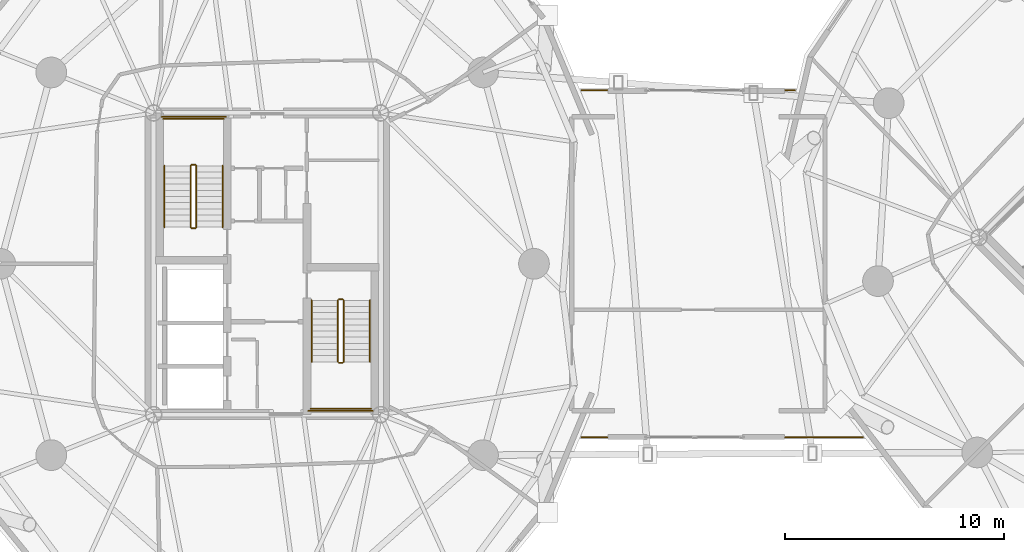
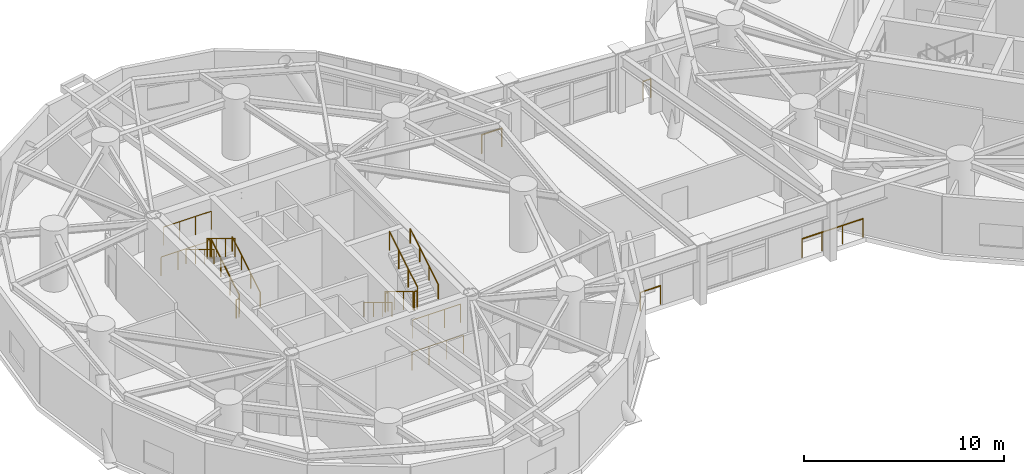
# One storey, part 19 of 20: 20 railings.
"""IFC4 building model written with IfcOpenShell, lengths in metres."""

from ifc_helpers import new_model, si_unit, direction, frame, origin, origin_2d, place, context, subcontext, project, spatial, circle, extrude, material, type_object, element, save


model = new_model("IFC4")

# Units and contexts
model_context = context("Model", 3, precision=1e-05, world=origin(), true_north=direction((0.0, 1.0)))
body_context = subcontext(model_context, "Body", "Model", "MODEL_VIEW")
ifc_project = project(units=[si_unit("LENGTHUNIT", "METRE"), si_unit("AREAUNIT", "SQUARE_METRE"), si_unit("VOLUMEUNIT", "CUBIC_METRE"), si_unit("PLANEANGLEUNIT", "RADIAN"), si_unit("MASSUNIT", "GRAM", prefix="KILO")], contexts=[model_context])

# Site, building, storey
site_placement = place(None, origin())
site = spatial("IfcSite", under=ifc_project, at=site_placement, CompositionType="ELEMENT")
building_placement = place(site_placement, origin())
building = spatial("IfcBuilding", under=site, at=building_placement, Name="Cununo Teusaquillo Station Towers", CompositionType="ELEMENT")
storey_placement = place(building_placement, frame((0.0, 0.0, 140.320068359375)))
storey = spatial("IfcBuildingStorey", under=building, at=storey_placement, Name="L44", CompositionType="ELEMENT", Elevation=140.320068359375)

# Railings
ifc_material_1 = material(Name="Steel EN 10025-2 S355J2", Category="steel")
railing_type_1 = type_object("IfcRailingType", Name="RL-INT-GUARD", PredefinedType="GUARDRAIL", material=ifc_material_1)
railing_1_placement = place(storey_placement, frame((13.27001953125, 26.169921875, 0.1689453125)))
element("IfcRailing", 1, at=railing_1_placement, inside=storey, type_object=railing_type_1, Name="L44 ST-T1-1 stair guard 1", PredefinedType="GUARDRAIL", context=body_context, shape_type="SweptSolid", body=[
    extrude(circle(Radius=0.02392578125, at=origin_2d()), frame((0.0, 0.0, 1.1259765625), z_axis=(0.0, 0.856020824003, 0.516941339877), x_axis=(-1.0, 0.0, 0.0)), (0.0, 0.0, 1.0), 3.27099609375),
    extrude(circle(Radius=0.02099609375, at=origin_2d()), origin(), (0.0, 0.0, 1.0), 1.101806640625),
    extrude(circle(Radius=0.02099609375, at=origin_2d()), frame((0.0, 0.933349609375, 0.563720703125)), (0.0, 0.0, 1.0), 1.101806640625),
    extrude(circle(Radius=0.02099609375, at=origin_2d()), frame((0.0, 1.86669921875, 1.127197265625)), (0.0, 0.0, 1.0), 1.101806640625),
    extrude(circle(Radius=0.02099609375, at=origin_2d()), frame((0.0, 2.800048828125, 1.69091796875)), (0.0, 0.0, 1.0), 1.101806640625),
])
railing_2_placement = place(storey_placement, frame((13.219970703125, 29.02001953125, 1.85986328125)))
element("IfcRailing", 2, at=railing_2_placement, inside=storey, type_object=railing_type_1, Name="L44 ST-T1-1 stair guard 2", PredefinedType="GUARDRAIL", context=body_context, shape_type="SweptSolid", body=[
    extrude(circle(Radius=0.02392578125, at=origin_2d()), frame((0.0, 0.0, 1.1259765625), z_axis=(-1.0, 0.0, 0.0), x_axis=(0.0, -1.0, 0.0)), (0.0, 0.0, 1.0), 0.159912109375),
    extrude(circle(Radius=0.02099609375, at=origin_2d()), origin(), (0.0, 0.0, 1.0), 1.101806640625),
    extrude(circle(Radius=0.02099609375, at=origin_2d()), frame((-0.159912109375, 0.0, 0.0)), (0.0, 0.0, 1.0), 1.101806640625),
])
railing_3_placement = place(storey_placement, frame((14.52001953125, 31.110107421875, 1.85986328125)))
element("IfcRailing", 3, at=railing_3_placement, inside=storey, type_object=railing_type_1, Name="L44 ST-T1-1 stair guard 3", PredefinedType="GUARDRAIL", context=body_context, shape_type="SweptSolid", body=[
    extrude(circle(Radius=0.02392578125, at=origin_2d()), frame((0.0, 0.0, 1.1259765625), z_axis=(-1.0, 0.0, 0.0), x_axis=(0.0, -1.0, 0.0)), (0.0, 0.0, 1.0), 2.760009765625),
    extrude(circle(Radius=0.02099609375, at=origin_2d()), origin(), (0.0, 0.0, 1.0), 1.101806640625),
    extrude(circle(Radius=0.02099609375, at=origin_2d()), frame((-0.919921875, 0.0, 0.0)), (0.0, 0.0, 1.0), 1.101806640625),
    extrude(circle(Radius=0.02099609375, at=origin_2d()), frame((-1.840087890625, 0.0, 0.0)), (0.0, 0.0, 1.0), 1.101806640625),
    extrude(circle(Radius=0.02099609375, at=origin_2d()), frame((-2.760009765625, 0.0, 0.0)), (0.0, 0.0, 1.0), 1.101806640625),
])
railing_4_placement = place(storey_placement, frame((13.010009765625, 28.969970703125, 2.029052734375)))
element("IfcRailing", 4, at=railing_4_placement, inside=storey, type_object=railing_type_1, Name="L44 ST-T1-1 stair guard 4", PredefinedType="GUARDRAIL", context=body_context, shape_type="SweptSolid", body=[
    extrude(circle(Radius=0.02392578125, at=origin_2d()), frame((0.0, 0.0, 1.1259765625), z_axis=(0.0, -0.856020824003, 0.516941339877), x_axis=(1.0, 0.0, 0.0)), (0.0, 0.0, 1.0), 3.27099609375),
    extrude(circle(Radius=0.02099609375, at=origin_2d()), origin(), (0.0, 0.0, 1.0), 1.101806640625),
    extrude(circle(Radius=0.02099609375, at=origin_2d()), frame((0.0, -0.933349609375, 0.563720703125)), (0.0, 0.0, 1.0), 1.101806640625),
    extrude(circle(Radius=0.02099609375, at=origin_2d()), frame((0.0, -1.86669921875, 1.127197265625)), (0.0, 0.0, 1.0), 1.101806640625),
    extrude(circle(Radius=0.02099609375, at=origin_2d()), frame((0.0, -2.800048828125, 1.69091796875)), (0.0, 0.0, 1.0), 1.101806640625),
])
railing_5_placement = place(storey_placement, frame((13.219970703125, 26.1201171875, 0.0)))
element("IfcRailing", 5, at=railing_5_placement, inside=storey, type_object=railing_type_1, Name="L44 ST-T1-1 stair guard 5", PredefinedType="GUARDRAIL", context=body_context, shape_type="SweptSolid", body=[
    extrude(circle(Radius=0.02392578125, at=origin_2d()), frame((0.0, 0.0, 1.1259765625), z_axis=(-1.0, 0.0, 0.0), x_axis=(0.0, -1.0, 0.0)), (0.0, 0.0, 1.0), 0.159912109375),
    extrude(circle(Radius=0.02099609375, at=origin_2d()), origin(), (0.0, 0.0, 1.0), 1.101806640625),
    extrude(circle(Radius=0.02099609375, at=origin_2d()), frame((-0.159912109375, 0.0, 0.0)), (0.0, 0.0, 1.0), 1.101806640625),
])
railing_6_placement = place(storey_placement, frame((14.6201171875, 31.2099609375, 0.0)))
element("IfcRailing", 6, at=railing_6_placement, inside=storey, type_object=railing_type_1, Name="L44 ST-T1-1 stair guard 6", PredefinedType="GUARDRAIL", context=body_context, shape_type="SweptSolid", body=[
    extrude(circle(Radius=0.02392578125, at=origin_2d()), frame((0.0, 0.0, 1.1259765625), z_axis=(-1.0, 0.0, 0.0), x_axis=(0.0, -1.0, 0.0)), (0.0, 0.0, 1.0), 2.960205078125),
    extrude(circle(Radius=0.02099609375, at=origin_2d()), origin(), (0.0, 0.0, 1.0), 1.101806640625),
    extrude(circle(Radius=0.02099609375, at=origin_2d()), frame((-0.98681640625, 0.0, 0.0)), (0.0, 0.0, 1.0), 1.101806640625),
    extrude(circle(Radius=0.02099609375, at=origin_2d()), frame((-1.973388671875, 0.0, 0.0)), (0.0, 0.0, 1.0), 1.101806640625),
    extrude(circle(Radius=0.02099609375, at=origin_2d()), frame((-2.960205078125, 0.0, 0.0)), (0.0, 0.0, 1.0), 1.101806640625),
])
railing_7_placement = place(storey_placement, frame((19.72998046875, 22.830078125, 0.1689453125)))
element("IfcRailing", 7, at=railing_7_placement, inside=storey, type_object=railing_type_1, Name="L44 ST-T1-2 stair guard 1", PredefinedType="GUARDRAIL", context=body_context, shape_type="SweptSolid", body=[
    extrude(circle(Radius=0.02392578125, at=origin_2d()), frame((0.0, 0.0, 1.1259765625), z_axis=(0.0, -0.856020824003, 0.516941339877), x_axis=(1.0, 0.0, 0.0)), (0.0, 0.0, 1.0), 3.27099609375),
    extrude(circle(Radius=0.02099609375, at=origin_2d()), origin(), (0.0, 0.0, 1.0), 1.101806640625),
    extrude(circle(Radius=0.02099609375, at=origin_2d()), frame((0.0, -0.933349609375, 0.563720703125)), (0.0, 0.0, 1.0), 1.101806640625),
    extrude(circle(Radius=0.02099609375, at=origin_2d()), frame((0.0, -1.86669921875, 1.127197265625)), (0.0, 0.0, 1.0), 1.101806640625),
    extrude(circle(Radius=0.02099609375, at=origin_2d()), frame((0.0, -2.800048828125, 1.69091796875)), (0.0, 0.0, 1.0), 1.101806640625),
])
railing_8_placement = place(storey_placement, frame((19.780029296875, 19.97998046875, 1.85986328125)))
element("IfcRailing", 8, at=railing_8_placement, inside=storey, type_object=railing_type_1, Name="L44 ST-T1-2 stair guard 2", PredefinedType="GUARDRAIL", context=body_context, shape_type="SweptSolid", body=[
    extrude(circle(Radius=0.02392578125, at=origin_2d()), frame((0.0, 0.0, 1.1259765625), z_axis=(1.0, 0.0, 0.0), x_axis=(0.0, 1.0, 0.0)), (0.0, 0.0, 1.0), 0.159912109375),
    extrude(circle(Radius=0.02099609375, at=origin_2d()), origin(), (0.0, 0.0, 1.0), 1.101806640625),
    extrude(circle(Radius=0.02099609375, at=origin_2d()), frame((0.159912109375, 0.0, 0.0)), (0.0, 0.0, 1.0), 1.101806640625),
])
railing_9_placement = place(storey_placement, frame((18.47998046875, 17.889892578125, 1.85986328125)))
element("IfcRailing", 9, at=railing_9_placement, inside=storey, type_object=railing_type_1, Name="L44 ST-T1-2 stair guard 3", PredefinedType="GUARDRAIL", context=body_context, shape_type="SweptSolid", body=[
    extrude(circle(Radius=0.02392578125, at=origin_2d()), frame((0.0, 0.0, 1.1259765625), z_axis=(1.0, 0.0, 0.0), x_axis=(0.0, 1.0, 0.0)), (0.0, 0.0, 1.0), 2.760009765625),
    extrude(circle(Radius=0.02099609375, at=origin_2d()), origin(), (0.0, 0.0, 1.0), 1.101806640625),
    extrude(circle(Radius=0.02099609375, at=origin_2d()), frame((0.919921875, 0.0, 0.0)), (0.0, 0.0, 1.0), 1.101806640625),
    extrude(circle(Radius=0.02099609375, at=origin_2d()), frame((1.840087890625, 0.0, 0.0)), (0.0, 0.0, 1.0), 1.101806640625),
    extrude(circle(Radius=0.02099609375, at=origin_2d()), frame((2.760009765625, 0.0, 0.0)), (0.0, 0.0, 1.0), 1.101806640625),
])
railing_10_placement = place(storey_placement, frame((19.989990234375, 20.030029296875, 2.029052734375)))
element("IfcRailing", 10, at=railing_10_placement, inside=storey, type_object=railing_type_1, Name="L44 ST-T1-2 stair guard 4", PredefinedType="GUARDRAIL", context=body_context, shape_type="SweptSolid", body=[
    extrude(circle(Radius=0.02392578125, at=origin_2d()), frame((0.0, 0.0, 1.1259765625), z_axis=(0.0, 0.856020824003, 0.516941339877), x_axis=(-1.0, 0.0, 0.0)), (0.0, 0.0, 1.0), 3.27099609375),
    extrude(circle(Radius=0.02099609375, at=origin_2d()), origin(), (0.0, 0.0, 1.0), 1.101806640625),
    extrude(circle(Radius=0.02099609375, at=origin_2d()), frame((0.0, 0.933349609375, 0.563720703125)), (0.0, 0.0, 1.0), 1.101806640625),
    extrude(circle(Radius=0.02099609375, at=origin_2d()), frame((0.0, 1.86669921875, 1.127197265625)), (0.0, 0.0, 1.0), 1.101806640625),
    extrude(circle(Radius=0.02099609375, at=origin_2d()), frame((0.0, 2.800048828125, 1.69091796875)), (0.0, 0.0, 1.0), 1.101806640625),
])
railing_11_placement = place(storey_placement, frame((19.780029296875, 22.8798828125, 0.0)))
element("IfcRailing", 11, at=railing_11_placement, inside=storey, type_object=railing_type_1, Name="L44 ST-T1-2 stair guard 5", PredefinedType="GUARDRAIL", context=body_context, shape_type="SweptSolid", body=[
    extrude(circle(Radius=0.02392578125, at=origin_2d()), frame((0.0, 0.0, 1.1259765625), z_axis=(1.0, 0.0, 0.0), x_axis=(0.0, 1.0, 0.0)), (0.0, 0.0, 1.0), 0.159912109375),
    extrude(circle(Radius=0.02099609375, at=origin_2d()), origin(), (0.0, 0.0, 1.0), 1.101806640625),
    extrude(circle(Radius=0.02099609375, at=origin_2d()), frame((0.159912109375, 0.0, 0.0)), (0.0, 0.0, 1.0), 1.101806640625),
])
railing_12_placement = place(storey_placement, frame((18.3798828125, 17.7900390625, 0.0)))
element("IfcRailing", 12, at=railing_12_placement, inside=storey, type_object=railing_type_1, Name="L44 ST-T1-2 stair guard 6", PredefinedType="GUARDRAIL", context=body_context, shape_type="SweptSolid", body=[
    extrude(circle(Radius=0.02392578125, at=origin_2d()), frame((0.0, 0.0, 1.1259765625), z_axis=(1.0, 0.0, 0.0), x_axis=(0.0, 1.0, 0.0)), (0.0, 0.0, 1.0), 2.960205078125),
    extrude(circle(Radius=0.02099609375, at=origin_2d()), origin(), (0.0, 0.0, 1.0), 1.101806640625),
    extrude(circle(Radius=0.02099609375, at=origin_2d()), frame((0.98681640625, 0.0, 0.0)), (0.0, 0.0, 1.0), 1.101806640625),
    extrude(circle(Radius=0.02099609375, at=origin_2d()), frame((1.973388671875, 0.0, 0.0)), (0.0, 0.0, 1.0), 1.101806640625),
    extrude(circle(Radius=0.02099609375, at=origin_2d()), frame((2.960205078125, 0.0, 0.0)), (0.0, 0.0, 1.0), 1.101806640625),
])
railing_13_placement = place(storey_placement, frame((30.840087890625, 32.419921875, 0.0)))
element("IfcRailing", 13, at=railing_13_placement, inside=storey, type_object=railing_type_1, Name="L44 Mid-Bridge Deck Edge Guardrail NW", PredefinedType="GUARDRAIL", context=body_context, shape_type="SweptSolid", body=[
    extrude(circle(Radius=0.02392578125, at=origin_2d()), frame((0.0, 0.0, 1.1259765625), z_axis=(1.0, 0.0, 0.0), x_axis=(0.0, 1.0, 0.0)), (0.0, 0.0, 1.0), 1.169921875),
    extrude(circle(Radius=0.02099609375, at=origin_2d()), origin(), (0.0, 0.0, 1.0), 1.101806640625),
    extrude(circle(Radius=0.02099609375, at=origin_2d()), frame((1.169921875, 0.0, 0.0)), (0.0, 0.0, 1.0), 1.101806640625),
])
railing_14_placement = place(storey_placement, frame((40.139892578125, 32.419921875, 0.0)))
element("IfcRailing", 14, at=railing_14_placement, inside=storey, type_object=railing_type_1, Name="L44 Mid-Bridge Deck Edge Guardrail NE", PredefinedType="GUARDRAIL", context=body_context, shape_type="SweptSolid", body=[
    extrude(circle(Radius=0.02392578125, at=origin_2d()), frame((0.0, 0.0, 1.1259765625), z_axis=(1.0, 0.0, 0.0), x_axis=(0.0, 1.0, 0.0)), (0.0, 0.0, 1.0), 0.440185546875),
    extrude(circle(Radius=0.02099609375, at=origin_2d()), origin(), (0.0, 0.0, 1.0), 1.101806640625),
    extrude(circle(Radius=0.02099609375, at=origin_2d()), frame((0.440185546875, 0.0, 0.0)), (0.0, 0.0, 1.0), 1.101806640625),
])
railing_15_placement = place(storey_placement, frame((30.840087890625, 16.580078125, 0.0)))
element("IfcRailing", 15, at=railing_15_placement, inside=storey, type_object=railing_type_1, Name="L44 Mid-Bridge Deck Edge Guardrail SW", PredefinedType="GUARDRAIL", context=body_context, shape_type="SweptSolid", body=[
    extrude(circle(Radius=0.02392578125, at=origin_2d()), frame((0.0, 0.0, 1.1259765625), z_axis=(1.0, 0.0, 0.0), x_axis=(0.0, 1.0, 0.0)), (0.0, 0.0, 1.0), 1.169921875),
    extrude(circle(Radius=0.02099609375, at=origin_2d()), origin(), (0.0, 0.0, 1.0), 1.101806640625),
    extrude(circle(Radius=0.02099609375, at=origin_2d()), frame((1.169921875, 0.0, 0.0)), (0.0, 0.0, 1.0), 1.101806640625),
])
railing_16_placement = place(storey_placement, frame((40.139892578125, 16.580078125, 0.0)))
element("IfcRailing", 16, at=railing_16_placement, inside=storey, type_object=railing_type_1, Name="L44 Mid-Bridge Deck Edge Guardrail SE", PredefinedType="GUARDRAIL", context=body_context, shape_type="SweptSolid", body=[
    extrude(circle(Radius=0.02392578125, at=origin_2d()), frame((0.0, 0.0, 1.1259765625), z_axis=(1.0, 0.0, 0.0), x_axis=(0.0, 1.0, 0.0)), (0.0, 0.0, 1.0), 3.5400390625),
    extrude(circle(Radius=0.02099609375, at=origin_2d()), origin(), (0.0, 0.0, 1.0), 1.101806640625),
    extrude(circle(Radius=0.02099609375, at=origin_2d()), frame((1.179931640625, 0.0, 0.0)), (0.0, 0.0, 1.0), 1.101806640625),
    extrude(circle(Radius=0.02099609375, at=origin_2d()), frame((2.360107421875, 0.0, 0.0)), (0.0, 0.0, 1.0), 1.101806640625),
    extrude(circle(Radius=0.02099609375, at=origin_2d()), frame((3.5400390625, 0.0, 0.0)), (0.0, 0.0, 1.0), 1.101806640625),
])
ifc_material_2 = material(Name="Steel EN 10025-2 S355J2", Category="steel")
railing_type_2 = type_object("IfcRailingType", Name="RL-INT-HRAIL", PredefinedType="HANDRAIL", material=ifc_material_2)
railing_17_placement = place(storey_placement, frame((14.469970703125, 26.169921875, 0.1689453125)))
element("IfcRailing", 17, at=railing_17_placement, inside=storey, type_object=railing_type_2, Name="L44 ST-T1-1 stair handrail 1", PredefinedType="HANDRAIL", context=body_context, shape_type="SweptSolid", body=[
    extrude(circle(Radius=0.02392578125, at=origin_2d()), frame((0.0, 0.0, 0.8759765625), z_axis=(0.0, 0.856020824003, 0.516941339877), x_axis=(-1.0, 0.0, 0.0)), (0.0, 0.0, 1.0), 3.27099609375),
    extrude(circle(Radius=0.02099609375, at=origin_2d()), origin(), (0.0, 0.0, 1.0), 0.851806640625),
    extrude(circle(Radius=0.02099609375, at=origin_2d()), frame((0.0, 0.933349609375, 0.563720703125)), (0.0, 0.0, 1.0), 0.851806640625),
    extrude(circle(Radius=0.02099609375, at=origin_2d()), frame((0.0, 1.86669921875, 1.127197265625)), (0.0, 0.0, 1.0), 0.851806640625),
    extrude(circle(Radius=0.02099609375, at=origin_2d()), frame((0.0, 2.800048828125, 1.69091796875)), (0.0, 0.0, 1.0), 0.851806640625),
])
for number, where, name in (
    (18, (11.81005859375, 28.969970703125, 2.029052734375), "L44 ST-T1-1 stair handrail 2"),
    (19, (18.530029296875, 22.830078125, 0.1689453125), "L44 ST-T1-2 stair handrail 1"),
):
    element("IfcRailing", number, at=place(storey_placement, frame(where)), inside=storey, type_object=railing_type_2, Name=name, PredefinedType="HANDRAIL", context=body_context, shape_type="SweptSolid", body=[
        extrude(circle(Radius=0.02392578125, at=origin_2d()), frame((0.0, 0.0, 0.8759765625), z_axis=(0.0, -0.856020824003, 0.516941339877), x_axis=(1.0, 0.0, 0.0)), (0.0, 0.0, 1.0), 3.27099609375),
        extrude(circle(Radius=0.02099609375, at=origin_2d()), origin(), (0.0, 0.0, 1.0), 0.851806640625),
        extrude(circle(Radius=0.02099609375, at=origin_2d()), frame((0.0, -0.933349609375, 0.563720703125)), (0.0, 0.0, 1.0), 0.851806640625),
        extrude(circle(Radius=0.02099609375, at=origin_2d()), frame((0.0, -1.86669921875, 1.127197265625)), (0.0, 0.0, 1.0), 0.851806640625),
        extrude(circle(Radius=0.02099609375, at=origin_2d()), frame((0.0, -2.800048828125, 1.69091796875)), (0.0, 0.0, 1.0), 0.851806640625),
    ])
railing_18_placement = place(storey_placement, frame((21.18994140625, 20.030029296875, 2.029052734375)))
element("IfcRailing", 20, at=railing_18_placement, inside=storey, type_object=railing_type_2, Name="L44 ST-T1-2 stair handrail 2", PredefinedType="HANDRAIL", context=body_context, shape_type="SweptSolid", body=[
    extrude(circle(Radius=0.02392578125, at=origin_2d()), frame((0.0, 0.0, 0.8759765625), z_axis=(0.0, 0.856020824003, 0.516941339877), x_axis=(-1.0, 0.0, 0.0)), (0.0, 0.0, 1.0), 3.27099609375),
    extrude(circle(Radius=0.02099609375, at=origin_2d()), origin(), (0.0, 0.0, 1.0), 0.851806640625),
    extrude(circle(Radius=0.02099609375, at=origin_2d()), frame((0.0, 0.933349609375, 0.563720703125)), (0.0, 0.0, 1.0), 0.851806640625),
    extrude(circle(Radius=0.02099609375, at=origin_2d()), frame((0.0, 1.86669921875, 1.127197265625)), (0.0, 0.0, 1.0), 0.851806640625),
    extrude(circle(Radius=0.02099609375, at=origin_2d()), frame((0.0, 2.800048828125, 1.69091796875)), (0.0, 0.0, 1.0), 0.851806640625),
])

save(model, "model.ifc")
